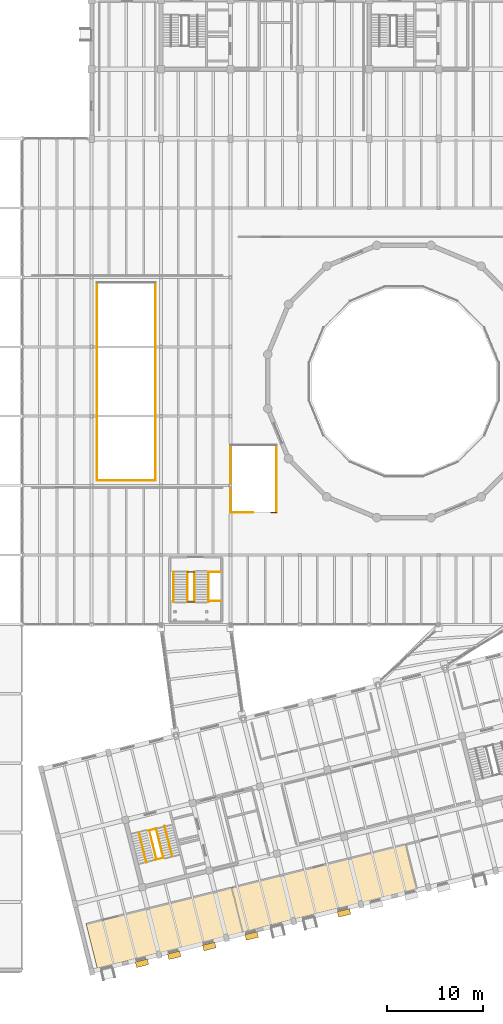
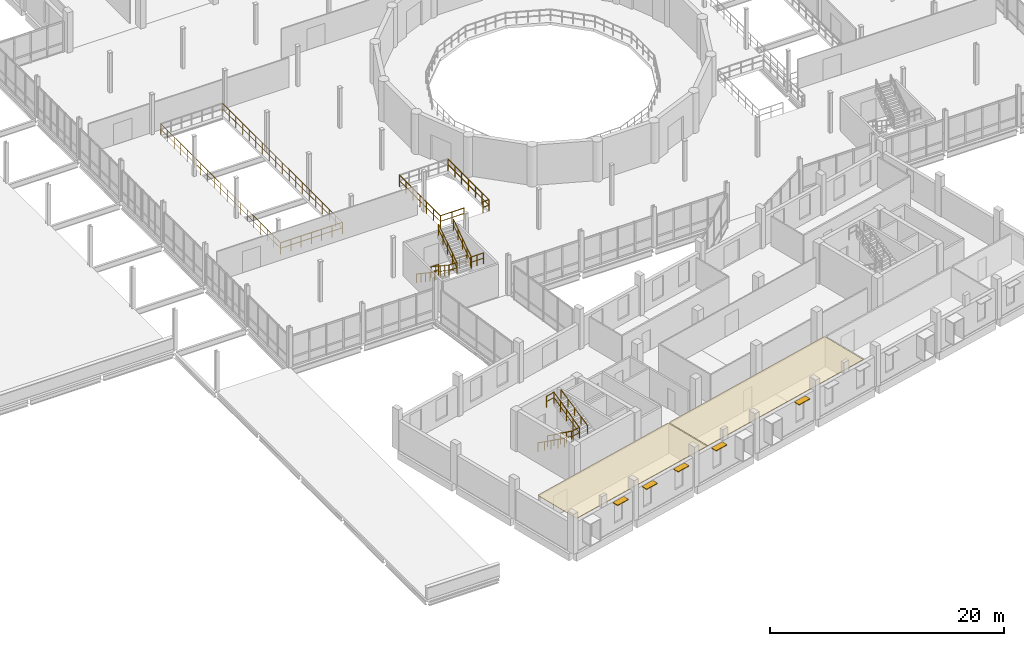
# One storey, part 67 of 72: 21 railings, 5 shading devices, 2 coverings.
"""IFC4 building model written with IfcOpenShell, lengths in metres."""

from ifc_helpers import new_model, si_unit, direction, frame, origin, origin_2d, place, context, subcontext, project, spatial, polyline, rectangle, circle, outline, extrude, material, layer, layer_set, material_profile, profile_set, type_object, element, save


model = new_model("IFC4")

# Units and contexts
model_context = context("Model", 3, precision=1e-05, world=origin(), true_north=direction((0.0, 1.0)))
body_context = subcontext(model_context, "Body", "Model", "MODEL_VIEW")
ifc_project = project(units=[si_unit("LENGTHUNIT", "METRE"), si_unit("AREAUNIT", "SQUARE_METRE"), si_unit("VOLUMEUNIT", "CUBIC_METRE"), si_unit("PLANEANGLEUNIT", "RADIAN"), si_unit("MASSUNIT", "GRAM", prefix="KILO")], contexts=[model_context])

# Site, building, storey
site_placement = place(None, origin())
site = spatial("IfcSite", under=ifc_project, at=site_placement, CompositionType="ELEMENT")
building_placement = place(site_placement, origin())
building = spatial("IfcBuilding", under=site, at=building_placement, Name="Qiaolan Assembly House", CompositionType="ELEMENT")
storey_placement = place(building_placement, frame((0.0, 0.0, 10.199951171875)))
storey = spatial("IfcBuildingStorey", under=building, at=storey_placement, Name="L02", CompositionType="ELEMENT", Elevation=10.199951171875)

# Coverings
ifc_material_1 = material(Name="Gypsum plasterboard acoustic ceiling")
ifc_layer = layer(ifc_material_1, 0.044921875)
ifc_layer_set = layer_set([ifc_layer], Name="Gypsum plasterboard acoustic ceiling")
covering_type = type_object("IfcCoveringType", Name="COV-CEIL-ACOUSTIC", PredefinedType="CEILING", material=ifc_layer_set)
covering_1_placement = place(storey_placement, frame((0.0, 0.0, 3.03515625)))
element("IfcCovering", 1, at=covering_1_placement, inside=storey, type_object=covering_type, Name="Suspended ceiling Standing Committee Suite A — Civic Governance", PredefinedType="CEILING", context=body_context, shape_type="SweptSolid", body=[
    extrude(outline(polyline([(36.577392578125, 0.32958984375), (51.636474609375, 4.084228515625), (50.47998046875, 8.72216796875), (35.421142578125, 4.967529296875), (36.577392578125, 0.32958984375)])), origin(), (0.0, 0.0, 1.0), 0.044921875),
])
covering_2_placement = place(storey_placement, frame((0.0, 0.0, 3.03515625)))
element("IfcCovering", 2, at=covering_2_placement, inside=storey, type_object=covering_type, Name="Suspended ceiling Council Members Shared Working Offices", PredefinedType="CEILING", context=body_context, shape_type="SweptSolid", body=[
    extrude(outline(polyline([(51.714111328125, 4.103515625), (69.683837890625, 8.583740234375), (68.527587890625, 13.221923828125), (50.5576171875, 8.741455078125), (51.714111328125, 4.103515625)])), origin(), (0.0, 0.0, 1.0), 0.044921875),
])

# Railings
ifc_material_2 = material(Name="Anodised bronze aluminium", Category="aluminium")
railing_type_1 = type_object("IfcRailingType", Name="RAL-GUARD-GALLERY-1200", PredefinedType="BALUSTRADE", material=ifc_material_2)
railing_1_placement = place(storey_placement, frame((52.739990234375, 47.60009765625, 0.0)))
element("IfcRailing", 3, at=railing_1_placement, inside=storey, type_object=railing_type_1, Name="GR-02 gallery well guard ST-G1 seg 1", PredefinedType="BALUSTRADE", context=body_context, shape_type="SweptSolid", body=[
    extrude(circle(Radius=0.02392578125, at=origin_2d()), frame((0.0, 0.0, 1.17578125), z_axis=(-1.0, 0.0, 0.0), x_axis=(0.0, -1.0, 0.0)), (0.0, 0.0, 1.0), 2.340087890625),
    extrude(circle(Radius=0.01611328125, at=origin_2d()), frame((0.0, 0.0, 0.60009765625), z_axis=(-1.0, 0.0, 0.0), x_axis=(0.0, -1.0, 0.0)), (0.0, 0.0, 1.0), 2.340087890625),
    extrude(circle(Radius=0.02099609375, at=origin_2d()), origin(), (0.0, 0.0, 1.0), 1.15185546875),
    extrude(circle(Radius=0.02099609375, at=origin_2d()), frame((-1.169921875, 0.0, 0.0)), (0.0, 0.0, 1.0), 1.15185546875),
    extrude(circle(Radius=0.02099609375, at=origin_2d()), frame((-2.340087890625, 0.0, 0.0)), (0.0, 0.0, 1.0), 1.15185546875),
])
railing_2_placement = place(storey_placement, frame((50.39990234375, 47.60009765625, 0.0)))
element("IfcRailing", 4, at=railing_2_placement, inside=storey, type_object=railing_type_1, Name="GR-02 gallery well guard ST-G1 seg 2", PredefinedType="BALUSTRADE", context=body_context, shape_type="SweptSolid", body=[
    extrude(circle(Radius=0.02392578125, at=origin_2d()), frame((0.0, 0.0, 1.17578125), z_axis=(0.0, 1.0, 0.0), x_axis=(-1.0, 0.0, 0.0)), (0.0, 0.0, 1.0), 7.0),
    extrude(circle(Radius=0.01611328125, at=origin_2d()), frame((0.0, 0.0, 0.60009765625), z_axis=(0.0, 1.0, 0.0), x_axis=(-1.0, 0.0, 0.0)), (0.0, 0.0, 1.0), 7.0),
    extrude(circle(Radius=0.02099609375, at=origin_2d()), origin(), (0.0, 0.0, 1.0), 1.15185546875),
    extrude(circle(Radius=0.02099609375, at=origin_2d()), frame((0.0, 1.166748046875, 0.0)), (0.0, 0.0, 1.0), 1.15185546875),
    extrude(circle(Radius=0.02099609375, at=origin_2d()), frame((0.0, 2.333251953125, 0.0)), (0.0, 0.0, 1.0), 1.15185546875),
    extrude(circle(Radius=0.02099609375, at=origin_2d()), frame((0.0, 3.5, 0.0)), (0.0, 0.0, 1.0), 1.15185546875),
    extrude(circle(Radius=0.02099609375, at=origin_2d()), frame((0.0, 4.666748046875, 0.0)), (0.0, 0.0, 1.0), 1.15185546875),
    extrude(circle(Radius=0.02099609375, at=origin_2d()), frame((0.0, 5.833251953125, 0.0)), (0.0, 0.0, 1.0), 1.15185546875),
    extrude(circle(Radius=0.02099609375, at=origin_2d()), frame((0.0, 7.0, 0.0)), (0.0, 0.0, 1.0), 1.15185546875),
])
railing_3_placement = place(storey_placement, frame((55.199951171875, 54.60009765625, 0.0)))
element("IfcRailing", 5, at=railing_3_placement, inside=storey, type_object=railing_type_1, Name="GR-02 gallery well guard ST-G1 seg 4", PredefinedType="BALUSTRADE", context=body_context, shape_type="SweptSolid", body=[
    extrude(circle(Radius=0.02392578125, at=origin_2d()), frame((0.0, 0.0, 1.17578125), z_axis=(0.0, -1.0, 0.0), x_axis=(1.0, 0.0, 0.0)), (0.0, 0.0, 1.0), 7.0),
    extrude(circle(Radius=0.01611328125, at=origin_2d()), frame((0.0, 0.0, 0.60009765625), z_axis=(0.0, -1.0, 0.0), x_axis=(1.0, 0.0, 0.0)), (0.0, 0.0, 1.0), 7.0),
    extrude(circle(Radius=0.02099609375, at=origin_2d()), origin(), (0.0, 0.0, 1.0), 1.15185546875),
    extrude(circle(Radius=0.02099609375, at=origin_2d()), frame((0.0, -1.166748046875, 0.0)), (0.0, 0.0, 1.0), 1.15185546875),
    extrude(circle(Radius=0.02099609375, at=origin_2d()), frame((0.0, -2.333251953125, 0.0)), (0.0, 0.0, 1.0), 1.15185546875),
    extrude(circle(Radius=0.02099609375, at=origin_2d()), frame((0.0, -3.5, 0.0)), (0.0, 0.0, 1.0), 1.15185546875),
    extrude(circle(Radius=0.02099609375, at=origin_2d()), frame((0.0, -4.666748046875, 0.0)), (0.0, 0.0, 1.0), 1.15185546875),
    extrude(circle(Radius=0.02099609375, at=origin_2d()), frame((0.0, -5.833251953125, 0.0)), (0.0, 0.0, 1.0), 1.15185546875),
    extrude(circle(Radius=0.02099609375, at=origin_2d()), frame((0.0, -7.0, 0.0)), (0.0, 0.0, 1.0), 1.15185546875),
])
railing_4_placement = place(storey_placement, frame((55.199951171875, 47.60009765625, 0.0)))
element("IfcRailing", 6, at=railing_4_placement, inside=storey, type_object=railing_type_1, Name="GR-02 gallery well guard ST-G1 seg 5", PredefinedType="BALUSTRADE", context=body_context, shape_type="SweptSolid", body=[
    extrude(circle(Radius=0.02392578125, at=origin_2d()), frame((0.0, 0.0, 1.17578125), z_axis=(-1.0, 0.0, 0.0), x_axis=(0.0, -1.0, 0.0)), (0.0, 0.0, 1.0), 0.579833984375),
    extrude(circle(Radius=0.01611328125, at=origin_2d()), frame((0.0, 0.0, 0.60009765625), z_axis=(-1.0, 0.0, 0.0), x_axis=(0.0, -1.0, 0.0)), (0.0, 0.0, 1.0), 0.579833984375),
    extrude(circle(Radius=0.02099609375, at=origin_2d()), origin(), (0.0, 0.0, 1.0), 1.15185546875),
    extrude(circle(Radius=0.02099609375, at=origin_2d()), frame((-0.579833984375, 0.0, 0.0)), (0.0, 0.0, 1.0), 1.15185546875),
])
railing_5_placement = place(storey_placement, frame((36.550048828125, 50.949951171875, 0.0)))
element("IfcRailing", 7, at=railing_5_placement, inside=storey, type_object=railing_type_1, Name="GR-02 Public Hall Atrium Void Balustrade W L02 seg 1", PredefinedType="BALUSTRADE", context=body_context, shape_type="SweptSolid", body=[
    extrude(circle(Radius=0.02392578125, at=origin_2d()), frame((0.0, 0.0, 1.17578125), z_axis=(0.0, 1.0, 0.0), x_axis=(-1.0, 0.0, 0.0)), (0.0, 0.0, 1.0), 20.5),
    extrude(circle(Radius=0.01611328125, at=origin_2d()), frame((0.0, 0.0, 0.60009765625), z_axis=(0.0, 1.0, 0.0), x_axis=(-1.0, 0.0, 0.0)), (0.0, 0.0, 1.0), 20.5),
    extrude(circle(Radius=0.02099609375, at=origin_2d()), origin(), (0.0, 0.0, 1.0), 1.15185546875),
    extrude(circle(Radius=0.02099609375, at=origin_2d()), frame((0.0, 1.138916015625, 0.0)), (0.0, 0.0, 1.0), 1.15185546875),
    extrude(circle(Radius=0.02099609375, at=origin_2d()), frame((0.0, 2.27783203125, 0.0)), (0.0, 0.0, 1.0), 1.15185546875),
    extrude(circle(Radius=0.02099609375, at=origin_2d()), frame((0.0, 3.416748046875, 0.0)), (0.0, 0.0, 1.0), 1.15185546875),
    extrude(circle(Radius=0.02099609375, at=origin_2d()), frame((0.0, 4.5556640625, 0.0)), (0.0, 0.0, 1.0), 1.15185546875),
    extrude(circle(Radius=0.02099609375, at=origin_2d()), frame((0.0, 5.6943359375, 0.0)), (0.0, 0.0, 1.0), 1.15185546875),
    extrude(circle(Radius=0.02099609375, at=origin_2d()), frame((0.0, 6.833251953125, 0.0)), (0.0, 0.0, 1.0), 1.15185546875),
    extrude(circle(Radius=0.02099609375, at=origin_2d()), frame((0.0, 7.97216796875, 0.0)), (0.0, 0.0, 1.0), 1.15185546875),
    extrude(circle(Radius=0.02099609375, at=origin_2d()), frame((0.0, 9.111083984375, 0.0)), (0.0, 0.0, 1.0), 1.15185546875),
    extrude(circle(Radius=0.02099609375, at=origin_2d()), frame((0.0, 10.25, 0.0)), (0.0, 0.0, 1.0), 1.15185546875),
    extrude(circle(Radius=0.02099609375, at=origin_2d()), frame((0.0, 11.388916015625, 0.0)), (0.0, 0.0, 1.0), 1.15185546875),
    extrude(circle(Radius=0.02099609375, at=origin_2d()), frame((0.0, 12.52783203125, 0.0)), (0.0, 0.0, 1.0), 1.15185546875),
    extrude(circle(Radius=0.02099609375, at=origin_2d()), frame((0.0, 13.666748046875, 0.0)), (0.0, 0.0, 1.0), 1.15185546875),
    extrude(circle(Radius=0.02099609375, at=origin_2d()), frame((0.0, 14.8056640625, 0.0)), (0.0, 0.0, 1.0), 1.15185546875),
    extrude(circle(Radius=0.02099609375, at=origin_2d()), frame((0.0, 15.9443359375, 0.0)), (0.0, 0.0, 1.0), 1.15185546875),
    extrude(circle(Radius=0.02099609375, at=origin_2d()), frame((0.0, 17.083251953125, 0.0)), (0.0, 0.0, 1.0), 1.15185546875),
    extrude(circle(Radius=0.02099609375, at=origin_2d()), frame((0.0, 18.22216796875, 0.0)), (0.0, 0.0, 1.0), 1.15185546875),
    extrude(circle(Radius=0.02099609375, at=origin_2d()), frame((0.0, 19.361083984375, 0.0)), (0.0, 0.0, 1.0), 1.15185546875),
    extrude(circle(Radius=0.02099609375, at=origin_2d()), frame((0.0, 20.5, 0.0)), (0.0, 0.0, 1.0), 1.15185546875),
])
railing_6_placement = place(storey_placement, frame((42.64990234375, 71.449951171875, 0.0)))
element("IfcRailing", 8, at=railing_6_placement, inside=storey, type_object=railing_type_1, Name="GR-02 Public Hall Atrium Void Balustrade W L02 seg 3", PredefinedType="BALUSTRADE", context=body_context, shape_type="SweptSolid", body=[
    extrude(circle(Radius=0.02392578125, at=origin_2d()), frame((0.0, 0.0, 1.17578125), z_axis=(0.0, -1.0, 0.0), x_axis=(1.0, 0.0, 0.0)), (0.0, 0.0, 1.0), 20.5),
    extrude(circle(Radius=0.01611328125, at=origin_2d()), frame((0.0, 0.0, 0.60009765625), z_axis=(0.0, -1.0, 0.0), x_axis=(1.0, 0.0, 0.0)), (0.0, 0.0, 1.0), 20.5),
    extrude(circle(Radius=0.02099609375, at=origin_2d()), origin(), (0.0, 0.0, 1.0), 1.15185546875),
    extrude(circle(Radius=0.02099609375, at=origin_2d()), frame((0.0, -1.138916015625, 0.0)), (0.0, 0.0, 1.0), 1.15185546875),
    extrude(circle(Radius=0.02099609375, at=origin_2d()), frame((0.0, -2.27783203125, 0.0)), (0.0, 0.0, 1.0), 1.15185546875),
    extrude(circle(Radius=0.02099609375, at=origin_2d()), frame((0.0, -3.416748046875, 0.0)), (0.0, 0.0, 1.0), 1.15185546875),
    extrude(circle(Radius=0.02099609375, at=origin_2d()), frame((0.0, -4.5556640625, 0.0)), (0.0, 0.0, 1.0), 1.15185546875),
    extrude(circle(Radius=0.02099609375, at=origin_2d()), frame((0.0, -5.6943359375, 0.0)), (0.0, 0.0, 1.0), 1.15185546875),
    extrude(circle(Radius=0.02099609375, at=origin_2d()), frame((0.0, -6.833251953125, 0.0)), (0.0, 0.0, 1.0), 1.15185546875),
    extrude(circle(Radius=0.02099609375, at=origin_2d()), frame((0.0, -7.97216796875, 0.0)), (0.0, 0.0, 1.0), 1.15185546875),
    extrude(circle(Radius=0.02099609375, at=origin_2d()), frame((0.0, -9.111083984375, 0.0)), (0.0, 0.0, 1.0), 1.15185546875),
    extrude(circle(Radius=0.02099609375, at=origin_2d()), frame((0.0, -10.25, 0.0)), (0.0, 0.0, 1.0), 1.15185546875),
    extrude(circle(Radius=0.02099609375, at=origin_2d()), frame((0.0, -11.388916015625, 0.0)), (0.0, 0.0, 1.0), 1.15185546875),
    extrude(circle(Radius=0.02099609375, at=origin_2d()), frame((0.0, -12.52783203125, 0.0)), (0.0, 0.0, 1.0), 1.15185546875),
    extrude(circle(Radius=0.02099609375, at=origin_2d()), frame((0.0, -13.666748046875, 0.0)), (0.0, 0.0, 1.0), 1.15185546875),
    extrude(circle(Radius=0.02099609375, at=origin_2d()), frame((0.0, -14.8056640625, 0.0)), (0.0, 0.0, 1.0), 1.15185546875),
    extrude(circle(Radius=0.02099609375, at=origin_2d()), frame((0.0, -15.9443359375, 0.0)), (0.0, 0.0, 1.0), 1.15185546875),
    extrude(circle(Radius=0.02099609375, at=origin_2d()), frame((0.0, -17.083251953125, 0.0)), (0.0, 0.0, 1.0), 1.15185546875),
    extrude(circle(Radius=0.02099609375, at=origin_2d()), frame((0.0, -18.22216796875, 0.0)), (0.0, 0.0, 1.0), 1.15185546875),
    extrude(circle(Radius=0.02099609375, at=origin_2d()), frame((0.0, -19.361083984375, 0.0)), (0.0, 0.0, 1.0), 1.15185546875),
    extrude(circle(Radius=0.02099609375, at=origin_2d()), frame((0.0, -20.5, 0.0)), (0.0, 0.0, 1.0), 1.15185546875),
])
railing_7_placement = place(storey_placement, frame((42.64990234375, 50.949951171875, 0.0)))
element("IfcRailing", 9, at=railing_7_placement, inside=storey, type_object=railing_type_1, Name="GR-02 Public Hall Atrium Void Balustrade W L02 seg 4", PredefinedType="BALUSTRADE", context=body_context, shape_type="SweptSolid", body=[
    extrude(circle(Radius=0.02392578125, at=origin_2d()), frame((0.0, 0.0, 1.17578125), z_axis=(-1.0, 0.0, 0.0), x_axis=(0.0, -1.0, 0.0)), (0.0, 0.0, 1.0), 6.099853515625),
    extrude(circle(Radius=0.01611328125, at=origin_2d()), frame((0.0, 0.0, 0.60009765625), z_axis=(-1.0, 0.0, 0.0), x_axis=(0.0, -1.0, 0.0)), (0.0, 0.0, 1.0), 6.099853515625),
    extrude(circle(Radius=0.02099609375, at=origin_2d()), origin(), (0.0, 0.0, 1.0), 1.15185546875),
    extrude(circle(Radius=0.02099609375, at=origin_2d()), frame((-1.0166015625, 0.0, 0.0)), (0.0, 0.0, 1.0), 1.15185546875),
    extrude(circle(Radius=0.02099609375, at=origin_2d()), frame((-2.033203125, 0.0, 0.0)), (0.0, 0.0, 1.0), 1.15185546875),
    extrude(circle(Radius=0.02099609375, at=origin_2d()), frame((-3.0498046875, 0.0, 0.0)), (0.0, 0.0, 1.0), 1.15185546875),
    extrude(circle(Radius=0.02099609375, at=origin_2d()), frame((-4.066650390625, 0.0, 0.0)), (0.0, 0.0, 1.0), 1.15185546875),
    extrude(circle(Radius=0.02099609375, at=origin_2d()), frame((-5.083251953125, 0.0, 0.0)), (0.0, 0.0, 1.0), 1.15185546875),
    extrude(circle(Radius=0.02099609375, at=origin_2d()), frame((-6.099853515625, 0.0, 0.0)), (0.0, 0.0, 1.0), 1.15185546875),
])
railing_type_2 = type_object("IfcRailingType", Name="RAL-GUARD-STAIRWELL-1150", PredefinedType="GUARDRAIL", material=ifc_material_2)
railing_8_placement = place(storey_placement, frame((41.97802734375, 14.630859375, 0.0)))
element("IfcRailing", 10, at=railing_8_placement, inside=storey, type_object=railing_type_2, Name="GR-01 stair inner-well guard FLT-CORE-C-L02-1", PredefinedType="GUARDRAIL", context=body_context, shape_type="SweptSolid", body=[
    extrude(circle(Radius=0.02392578125, at=origin_2d()), frame((0.0, 0.0, 1.1259765625), z_axis=(0.200713697386, -0.804932033501, 0.558389141304), x_axis=(0.970289613784, 0.241946410147, 0.0)), (0.0, 0.0, 1.0), 3.760986328125),
    extrude(circle(Radius=0.01611328125, at=origin_2d()), frame((0.0, 0.0, 0.574951171875), z_axis=(0.200713697386, -0.804932033501, 0.558389141304), x_axis=(0.970289613784, 0.241946410147, 0.0)), (0.0, 0.0, 1.0), 3.760986328125),
    extrude(circle(Radius=0.02099609375, at=origin_2d()), origin(), (0.0, 0.0, 1.0), 1.101806640625),
    extrude(circle(Radius=0.02099609375, at=origin_2d()), frame((0.188720703125, -0.7568359375, 0.52490234375)), (0.0, 0.0, 1.0), 1.101806640625),
    extrude(circle(Radius=0.02099609375, at=origin_2d()), frame((0.37744140625, -1.513671875, 1.050048828125)), (0.0, 0.0, 1.0), 1.101806640625),
    extrude(circle(Radius=0.02099609375, at=origin_2d()), frame((0.566162109375, -2.2705078125, 1.5751953125)), (0.0, 0.0, 1.0), 1.101806640625),
    extrude(circle(Radius=0.02099609375, at=origin_2d()), frame((0.7548828125, -3.02734375, 2.10009765625)), (0.0, 0.0, 1.0), 1.101806640625),
])
railing_9_placement = place(storey_placement, frame((43.450927734375, 11.782470703125, 2.10009765625)))
element("IfcRailing", 11, at=railing_9_placement, inside=storey, type_object=railing_type_2, Name="GR-01 stair inner-well guard FLT-CORE-C-L02-2", PredefinedType="GUARDRAIL", context=body_context, shape_type="SweptSolid", body=[
    extrude(circle(Radius=0.02392578125, at=origin_2d()), frame((0.0, 0.0, 1.1259765625), z_axis=(-0.200720972668, 0.804961209925, 0.558344465046), x_axis=(-0.970289613784, -0.241946410147, 0.0)), (0.0, 0.0, 1.0), 3.7607421875),
    extrude(circle(Radius=0.01611328125, at=origin_2d()), frame((0.0, 0.0, 0.574951171875), z_axis=(-0.200720972668, 0.804961209925, 0.558344465046), x_axis=(-0.970289613784, -0.241946410147, 0.0)), (0.0, 0.0, 1.0), 3.7607421875),
    extrude(circle(Radius=0.02099609375, at=origin_2d()), origin(), (0.0, 0.0, 1.0), 1.101806640625),
    extrude(circle(Radius=0.02099609375, at=origin_2d()), frame((-0.188720703125, 0.7568359375, 0.52490234375)), (0.0, 0.0, 1.0), 1.101806640625),
    extrude(circle(Radius=0.02099609375, at=origin_2d()), frame((-0.37744140625, 1.513671875, 1.0498046875)), (0.0, 0.0, 1.0), 1.101806640625),
    extrude(circle(Radius=0.02099609375, at=origin_2d()), frame((-0.566162109375, 2.2705078125, 1.574951171875)), (0.0, 0.0, 1.0), 1.101806640625),
    extrude(circle(Radius=0.02099609375, at=origin_2d()), frame((-0.7548828125, 3.02734375, 2.099853515625)), (0.0, 0.0, 1.0), 1.101806640625),
])
railing_10_placement = place(storey_placement, frame((42.57763671875, 11.564697265625, 2.10009765625)))
element("IfcRailing", 12, at=railing_10_placement, inside=storey, type_object=railing_type_2, Name="GR-01 stairwell landing guard CORE-C L02-1", PredefinedType="GUARDRAIL", context=body_context, shape_type="SweptSolid", body=[
    extrude(circle(Radius=0.02392578125, at=origin_2d()), frame((0.0, 0.0, 1.1259765625), z_axis=(0.97026726112, 0.242036034503, 0.0), x_axis=(-0.242036034503, 0.97026726112, 0.0)), (0.0, 0.0, 1.0), 0.919921875),
    extrude(circle(Radius=0.01611328125, at=origin_2d()), frame((0.0, 0.0, 0.574951171875), z_axis=(0.97026726112, 0.242036034503, 0.0), x_axis=(-0.242036034503, 0.97026726112, 0.0)), (0.0, 0.0, 1.0), 0.919921875),
    extrude(circle(Radius=0.02099609375, at=origin_2d()), origin(), (0.0, 0.0, 1.0), 1.101806640625),
    extrude(circle(Radius=0.02099609375, at=origin_2d()), frame((0.892578125, 0.22265625, 0.0)), (0.0, 0.0, 1.0), 1.101806640625),
])
railing_11_placement = place(storey_placement, frame((41.82275390625, 14.592041015625, 4.199951171875)))
element("IfcRailing", 13, at=railing_11_placement, inside=storey, type_object=railing_type_2, Name="GR-01 stairwell landing guard CORE-C L02-2", PredefinedType="GUARDRAIL", context=body_context, shape_type="SweptSolid", body=[
    extrude(circle(Radius=0.02392578125, at=origin_2d()), frame((0.0, 0.0, 1.1259765625), z_axis=(0.970282802069, 0.241973725865, 0.0), x_axis=(-0.241973725865, 0.970282802069, 0.0)), (0.0, 0.0, 1.0), 0.920166015625),
    extrude(circle(Radius=0.01611328125, at=origin_2d()), frame((0.0, 0.0, 0.574951171875), z_axis=(0.970282802069, 0.241973725865, 0.0), x_axis=(-0.241973725865, 0.970282802069, 0.0)), (0.0, 0.0, 1.0), 0.920166015625),
    extrude(circle(Radius=0.02099609375, at=origin_2d()), origin(), (0.0, 0.0, 1.0), 1.101806640625),
    extrude(circle(Radius=0.02099609375, at=origin_2d()), frame((0.892822265625, 0.22265625, 0.0)), (0.0, 0.0, 1.0), 1.101806640625),
])
railing_12_placement = place(storey_placement, frame((45.919921875, 41.449951171875, 0.0)))
element("IfcRailing", 14, at=railing_12_placement, inside=storey, type_object=railing_type_2, Name="GR-01 foyer L02 slot guard ST-F1", PredefinedType="GUARDRAIL", context=body_context, shape_type="SweptSolid", body=[
    extrude(circle(Radius=0.02392578125, at=origin_2d()), frame((0.0, 0.0, 1.1259765625), z_axis=(1.0, 0.0, 0.0), x_axis=(0.0, 1.0, 0.0)), (0.0, 0.0, 1.0), 0.760009765625),
    extrude(circle(Radius=0.01611328125, at=origin_2d()), frame((0.0, 0.0, 0.574951171875), z_axis=(1.0, 0.0, 0.0), x_axis=(0.0, 1.0, 0.0)), (0.0, 0.0, 1.0), 0.760009765625),
    extrude(circle(Radius=0.02099609375, at=origin_2d()), origin(), (0.0, 0.0, 1.0), 1.101806640625),
    extrude(circle(Radius=0.02099609375, at=origin_2d()), frame((0.760009765625, 0.0, 0.0)), (0.0, 0.0, 1.0), 1.101806640625),
])
railing_13_placement = place(storey_placement, frame((48.1201171875, 41.449951171875, 0.0)))
element("IfcRailing", 15, at=railing_13_placement, inside=storey, type_object=railing_type_2, Name="GR-01 foyer L02 east floor-well guard ST-F1", PredefinedType="GUARDRAIL", context=body_context, shape_type="SweptSolid", body=[
    extrude(circle(Radius=0.02392578125, at=origin_2d()), frame((0.0, 0.0, 1.1259765625), z_axis=(1.0, 0.0, 0.0), x_axis=(0.0, 1.0, 0.0)), (0.0, 0.0, 1.0), 1.259765625),
    extrude(circle(Radius=0.01611328125, at=origin_2d()), frame((0.0, 0.0, 0.574951171875), z_axis=(1.0, 0.0, 0.0), x_axis=(0.0, 1.0, 0.0)), (0.0, 0.0, 1.0), 1.259765625),
    extrude(circle(Radius=0.02099609375, at=origin_2d()), origin(), (0.0, 0.0, 1.0), 1.101806640625),
    extrude(circle(Radius=0.02099609375, at=origin_2d()), frame((0.6298828125, 0.0, 0.0)), (0.0, 0.0, 1.0), 1.101806640625),
    extrude(circle(Radius=0.02099609375, at=origin_2d()), frame((1.259765625, 0.0, 0.0)), (0.0, 0.0, 1.0), 1.101806640625),
])
railing_14_placement = place(storey_placement, frame((45.93994140625, 41.449951171875, 0.0)))
element("IfcRailing", 16, at=railing_14_placement, inside=storey, type_object=railing_type_2, Name="GR-01 foyer L02 open-well guard FLT-ST-F21-1-R", PredefinedType="GUARDRAIL", context=body_context, shape_type="SweptSolid", body=[
    extrude(circle(Radius=0.02392578125, at=origin_2d()), frame((0.0, 0.0, 1.1259765625), z_axis=(0.0, -0.829565193945, 0.558409875445), x_axis=(1.0, 0.0, 0.0)), (0.0, 0.0, 1.0), 3.7607421875),
    extrude(circle(Radius=0.01611328125, at=origin_2d()), frame((0.0, 0.0, 0.574951171875), z_axis=(0.0, -0.829565193945, 0.558409875445), x_axis=(1.0, 0.0, 0.0)), (0.0, 0.0, 1.0), 3.7607421875),
    extrude(circle(Radius=0.02099609375, at=origin_2d()), origin(), (0.0, 0.0, 1.0), 1.101806640625),
    extrude(circle(Radius=0.02099609375, at=origin_2d()), frame((0.0, -0.780029296875, 0.52490234375)), (0.0, 0.0, 1.0), 1.101806640625),
    extrude(circle(Radius=0.02099609375, at=origin_2d()), frame((0.0, -1.56005859375, 1.050048828125)), (0.0, 0.0, 1.0), 1.101806640625),
    extrude(circle(Radius=0.02099609375, at=origin_2d()), frame((0.0, -2.33984375, 1.5751953125)), (0.0, 0.0, 1.0), 1.101806640625),
    extrude(circle(Radius=0.02099609375, at=origin_2d()), frame((0.0, -3.119873046875, 2.10009765625)), (0.0, 0.0, 1.0), 1.101806640625),
])
for number, where, name in (
    (17, (46.679931640625, 38.330078125, 2.10009765625), "GR-01 foyer L02 inner-well guard FLT-ST-F21-2-L"),
    (18, (48.139892578125, 38.330078125, 2.10009765625), "GR-01 foyer L02 open-well guard FLT-ST-F21-2-R"),
):
    element("IfcRailing", number, at=place(storey_placement, frame(where)), inside=storey, type_object=railing_type_2, Name=name, PredefinedType="GUARDRAIL", context=body_context, shape_type="SweptSolid", body=[
        extrude(circle(Radius=0.02392578125, at=origin_2d()), frame((0.0, 0.0, 1.1259765625), z_axis=(0.0, 0.829595265483, 0.558365199031), x_axis=(-1.0, 0.0, 0.0)), (0.0, 0.0, 1.0), 3.7607421875),
        extrude(circle(Radius=0.01611328125, at=origin_2d()), frame((0.0, 0.0, 0.574951171875), z_axis=(0.0, 0.829595265483, 0.558365199031), x_axis=(-1.0, 0.0, 0.0)), (0.0, 0.0, 1.0), 3.7607421875),
        extrude(circle(Radius=0.02099609375, at=origin_2d()), origin(), (0.0, 0.0, 1.0), 1.101806640625),
        extrude(circle(Radius=0.02099609375, at=origin_2d()), frame((0.0, 0.780029296875, 0.52490234375)), (0.0, 0.0, 1.0), 1.101806640625),
        extrude(circle(Radius=0.02099609375, at=origin_2d()), frame((0.0, 1.56005859375, 1.0498046875)), (0.0, 0.0, 1.0), 1.101806640625),
        extrude(circle(Radius=0.02099609375, at=origin_2d()), frame((0.0, 2.33984375, 1.574951171875)), (0.0, 0.0, 1.0), 1.101806640625),
        extrude(circle(Radius=0.02099609375, at=origin_2d()), frame((0.0, 3.119873046875, 2.099853515625)), (0.0, 0.0, 1.0), 1.101806640625),
    ])
railing_15_placement = place(storey_placement, frame((45.919921875, 38.330078125, 2.10009765625)))
element("IfcRailing", 19, at=railing_15_placement, inside=storey, type_object=railing_type_2, Name="GR-01 foyer L02 mid-landing guard ST-F21", PredefinedType="GUARDRAIL", context=body_context, shape_type="SweptSolid", body=[
    extrude(circle(Radius=0.02392578125, at=origin_2d()), frame((0.0, 0.0, 1.1259765625), z_axis=(1.0, 0.0, 0.0), x_axis=(0.0, 1.0, 0.0)), (0.0, 0.0, 1.0), 0.760009765625),
    extrude(circle(Radius=0.01611328125, at=origin_2d()), frame((0.0, 0.0, 0.574951171875), z_axis=(1.0, 0.0, 0.0), x_axis=(0.0, 1.0, 0.0)), (0.0, 0.0, 1.0), 0.760009765625),
    extrude(circle(Radius=0.02099609375, at=origin_2d()), origin(), (0.0, 0.0, 1.0), 1.101806640625),
    extrude(circle(Radius=0.02099609375, at=origin_2d()), frame((0.760009765625, 0.0, 0.0)), (0.0, 0.0, 1.0), 1.101806640625),
])
railing_16_placement = place(storey_placement, frame((48.110107421875, 38.429931640625, 2.10009765625)))
element("IfcRailing", 20, at=railing_16_placement, inside=storey, type_object=railing_type_2, Name="GR-01 foyer L02 east half-landing guard ST-F21", PredefinedType="GUARDRAIL", context=body_context, shape_type="SweptSolid", body=[
    extrude(circle(Radius=0.02392578125, at=origin_2d()), frame((0.0, 0.0, 1.1259765625), z_axis=(1.0, 0.0, 0.0), x_axis=(0.0, 1.0, 0.0)), (0.0, 0.0, 1.0), 1.269775390625),
    extrude(circle(Radius=0.01611328125, at=origin_2d()), frame((0.0, 0.0, 0.574951171875), z_axis=(1.0, 0.0, 0.0), x_axis=(0.0, 1.0, 0.0)), (0.0, 0.0, 1.0), 1.269775390625),
    extrude(circle(Radius=0.02099609375, at=origin_2d()), origin(), (0.0, 0.0, 1.0), 1.101806640625),
    extrude(circle(Radius=0.02099609375, at=origin_2d()), frame((0.634765625, 0.0, 0.0)), (0.0, 0.0, 1.0), 1.101806640625),
    extrude(circle(Radius=0.02099609375, at=origin_2d()), frame((1.269775390625, 0.0, 0.0)), (0.0, 0.0, 1.0), 1.101806640625),
])
railing_type_3 = type_object("IfcRailingType", Name="RAL-HANDRAIL-STAIR-920", PredefinedType="HANDRAIL", material=ifc_material_2)
railing_17_placement = place(storey_placement, frame((40.906005859375, 14.42529296875, 0.0)))
element("IfcRailing", 21, at=railing_17_placement, inside=storey, type_object=railing_type_3, Name="HR-01 stair handrail FLT-CORE-C-L02-1", PredefinedType="HANDRAIL", context=body_context, shape_type="SweptSolid", body=[
    extrude(circle(Radius=0.02392578125, at=origin_2d()), frame((0.0, 0.0, 0.89599609375), z_axis=(0.202971290851, -0.814224707877, 0.543912474735), x_axis=(0.970306279523, 0.241879564904, 0.0)), (0.0, 0.0, 1.0), 3.861083984375),
    extrude(circle(Radius=0.02099609375, at=origin_2d()), origin(), (0.0, 0.0, 1.0), 0.871826171875),
    extrude(circle(Radius=0.02099609375, at=origin_2d()), frame((0.19580078125, -0.785888671875, 0.52490234375)), (0.0, 0.0, 1.0), 0.871826171875),
    extrude(circle(Radius=0.02099609375, at=origin_2d()), frame((0.391845703125, -1.57177734375, 1.050048828125)), (0.0, 0.0, 1.0), 0.871826171875),
    extrude(circle(Radius=0.02099609375, at=origin_2d()), frame((0.587890625, -2.35791015625, 1.5751953125)), (0.0, 0.0, 1.0), 0.871826171875),
    extrude(circle(Radius=0.02099609375, at=origin_2d()), frame((0.78369140625, -3.143798828125, 2.10009765625)), (0.0, 0.0, 1.0), 0.871826171875),
])
railing_18_placement = place(storey_placement, frame((44.358154296875, 11.94677734375, 2.10009765625)))
element("IfcRailing", 22, at=railing_18_placement, inside=storey, type_object=railing_type_3, Name="HR-01 stair handrail FLT-CORE-C-L02-2", PredefinedType="HANDRAIL", context=body_context, shape_type="SweptSolid", body=[
    extrude(circle(Radius=0.02392578125, at=origin_2d()), frame((0.0, 0.0, 0.89599609375), z_axis=(-0.203038898136, 0.814242258269, 0.543860966325), x_axis=(-0.97028859237, -0.241950506337, 0.0)), (0.0, 0.0, 1.0), 3.861083984375),
    extrude(circle(Radius=0.02099609375, at=origin_2d()), origin(), (0.0, 0.0, 1.0), 0.871826171875),
    extrude(circle(Radius=0.02099609375, at=origin_2d()), frame((-0.196044921875, 0.785888671875, 0.52490234375)), (0.0, 0.0, 1.0), 0.871826171875),
    extrude(circle(Radius=0.02099609375, at=origin_2d()), frame((-0.39208984375, 1.57177734375, 1.0498046875)), (0.0, 0.0, 1.0), 0.871826171875),
    extrude(circle(Radius=0.02099609375, at=origin_2d()), frame((-0.587890625, 2.35791015625, 1.574951171875)), (0.0, 0.0, 1.0), 0.871826171875),
    extrude(circle(Radius=0.02099609375, at=origin_2d()), frame((-0.783935546875, 3.143798828125, 2.099853515625)), (0.0, 0.0, 1.0), 0.871826171875),
])
railing_19_placement = place(storey_placement, frame((44.47998046875, 41.449951171875, 0.0)))
element("IfcRailing", 23, at=railing_19_placement, inside=storey, type_object=railing_type_3, Name="HR-01 foyer L02 handrail FLT-ST-F21-1-L", PredefinedType="HANDRAIL", context=body_context, shape_type="SweptSolid", body=[
    extrude(circle(Radius=0.02392578125, at=origin_2d()), frame((0.0, 0.0, 0.89599609375), z_axis=(0.0, -0.829565193945, 0.558409875445), x_axis=(1.0, 0.0, 0.0)), (0.0, 0.0, 1.0), 3.7607421875),
    extrude(circle(Radius=0.02099609375, at=origin_2d()), origin(), (0.0, 0.0, 1.0), 0.871826171875),
    extrude(circle(Radius=0.02099609375, at=origin_2d()), frame((0.0, -0.780029296875, 0.52490234375)), (0.0, 0.0, 1.0), 0.871826171875),
    extrude(circle(Radius=0.02099609375, at=origin_2d()), frame((0.0, -1.56005859375, 1.050048828125)), (0.0, 0.0, 1.0), 0.871826171875),
    extrude(circle(Radius=0.02099609375, at=origin_2d()), frame((0.0, -2.33984375, 1.5751953125)), (0.0, 0.0, 1.0), 0.871826171875),
    extrude(circle(Radius=0.02099609375, at=origin_2d()), frame((0.0, -3.119873046875, 2.10009765625)), (0.0, 0.0, 1.0), 0.871826171875),
])

# Shading devices
ifc_material_profile = material_profile(ifc_material_2, rectangle(XDim=0.60009765625, YDim=0.070068359375, at=origin_2d()), Name="SHD 600x70")
ifc_profile_set = profile_set([ifc_material_profile], Name="Anodised bronze aluminium")
shading_device_type = type_object("IfcShadingDeviceType", Name="SHD-SUNSHADE-AL-600", PredefinedType="AWNING", material=ifc_profile_set)
shading_device_1_placement = place(storey_placement, frame((40.596435546875, 0.682373046875, 2.93994140625), z_axis=(0.970307970296, 0.241872782222, 0.0), x_axis=(-0.241872782222, 0.970307970296, 0.0)))
element("IfcShadingDevice", 24, at=shading_device_1_placement, inside=storey, type_object=shading_device_type, Name="SH-02 horizontal sunshade louvre L02-1", PredefinedType="AWNING", context=body_context, shape_type="SweptSolid", body=[
    extrude(rectangle(XDim=0.60009765625, YDim=0.070068359375, at=origin_2d()), origin(), (0.0, 0.0, 1.0), 1.300048828125),
])
shading_device_2_placement = place(storey_placement, frame((43.944091796875, 1.516845703125, 2.93994140625), z_axis=(0.970296981152, 0.24191686251, 0.0), x_axis=(-0.24191686251, 0.970296981152, 0.0)))
element("IfcShadingDevice", 25, at=shading_device_2_placement, inside=storey, type_object=shading_device_type, Name="SH-02 horizontal sunshade louvre L02-2", PredefinedType="AWNING", context=body_context, shape_type="SweptSolid", body=[
    extrude(rectangle(XDim=0.60009765625, YDim=0.070068359375, at=origin_2d()), origin(), (0.0, 0.0, 1.0), 1.2998046875),
])
for number, where, z_axis, x_axis, name in (
    (26, (47.58251953125, 2.424072265625, 2.93994140625), (0.970307970296, 0.241872782222, 0.0), (-0.241872782222, 0.970307970296, 0.0), "SH-02 horizontal sunshade louvre L02-2"),
    (27, (51.97314453125, 3.518798828125, 2.93994140625), (0.970307970296, 0.241872782222, 0.0), (-0.241872782222, 0.970307970296, 0.0), "SH-02 horizontal sunshade louvre L02-3"),
):
    element("IfcShadingDevice", number, at=place(storey_placement, frame(where, z_axis=z_axis, x_axis=x_axis)), inside=storey, type_object=shading_device_type, Name=name, PredefinedType="AWNING", context=body_context, shape_type="SweptSolid", body=[
        extrude(rectangle(XDim=0.60009765625, YDim=0.070068359375, at=origin_2d()), origin(), (0.0, 0.0, 1.0), 1.300048828125),
    ])
shading_device_3_placement = place(storey_placement, frame((61.554931640625, 5.90771484375, 2.93994140625), z_axis=(0.970296981152, 0.24191686251, 0.0), x_axis=(-0.24191686251, 0.970296981152, 0.0)))
element("IfcShadingDevice", 28, at=shading_device_3_placement, inside=storey, type_object=shading_device_type, Name="SH-02 horizontal sunshade louvre L02-4", PredefinedType="AWNING", context=body_context, shape_type="SweptSolid", body=[
    extrude(rectangle(XDim=0.60009765625, YDim=0.070068359375, at=origin_2d()), origin(), (0.0, 0.0, 1.0), 1.2998046875),
])

save(model, "model.ifc")
